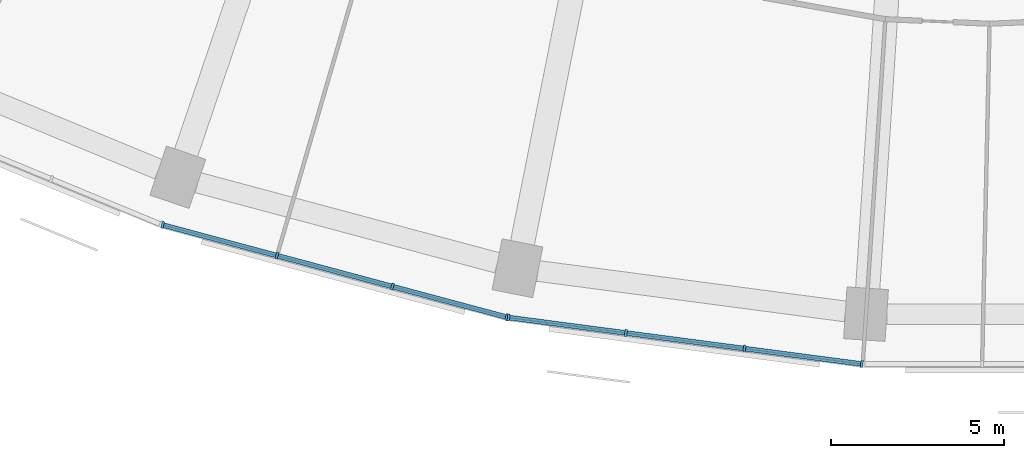
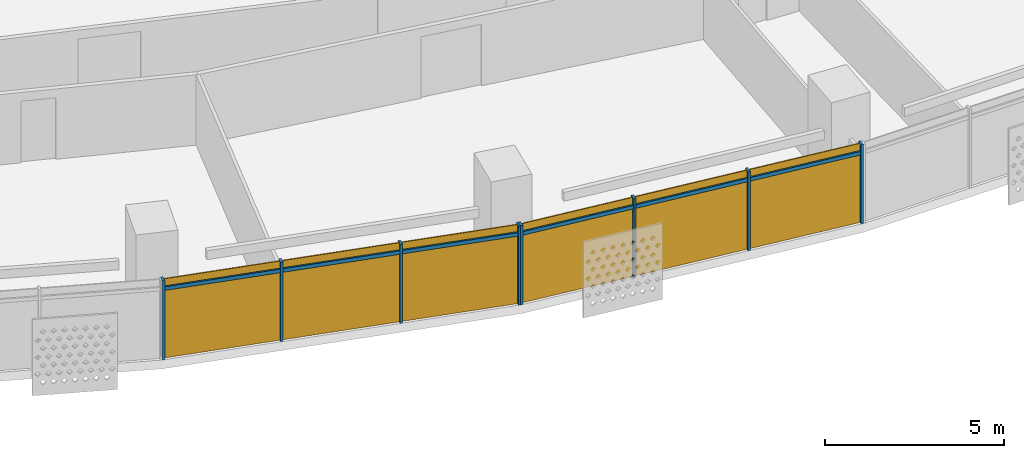
# One storey, part 19 of 29: 14 members, 2 curtain walls.
"""IFC4 building model written with IfcOpenShell, lengths in metres."""

from ifc_helpers import new_model, si_unit, direction, frame, origin, origin_2d, place, context, subcontext, project, spatial, rectangle, extrude, material, material_profile, profile_set, type_object, element, aggregate, save


model = new_model("IFC4")

# Units and contexts
model_context = context("Model", 3, precision=1e-05, world=origin(), true_north=direction((0.0, 1.0)))
body_context = subcontext(model_context, "Body", "Model", "MODEL_VIEW")
ifc_project = project(units=[si_unit("LENGTHUNIT", "METRE"), si_unit("AREAUNIT", "SQUARE_METRE"), si_unit("VOLUMEUNIT", "CUBIC_METRE"), si_unit("PLANEANGLEUNIT", "RADIAN"), si_unit("MASSUNIT", "GRAM", prefix="KILO")], contexts=[model_context])

# Member
ifc_material = material(Name="Aluminium 6063-T6 anodised", Category="aluminium")
ifc_material_profile_1 = material_profile(ifc_material, rectangle(XDim=0.199951171875, YDim=0.070068359375, at=origin_2d()))
ifc_profile_set_1 = profile_set([ifc_material_profile_1], Name="Aluminium 6063-T6 anodised")
member_type_1 = type_object("IfcMemberType", Name="Mullion 70 x 200 aluminium", PredefinedType="MULLION", material=ifc_profile_set_1)
site_placement = place(None, origin())
building_placement = place(site_placement, origin())
storey_placement = place(building_placement, frame((0.0, 0.0, 136.699951171875)))
member_1_placement = place(storey_placement, frame((-25.430419921875, -75.00390625, 0.0), z_axis=(0.0, 0.0, 1.0), x_axis=(0.258819045103, 0.965925826289, 0.0)))
member_1 = element("IfcMember", 1, at=member_1_placement, type_object=member_type_1, Name="e-cw1-L31-out07/M00", PredefinedType="MULLION", context=body_context, shape_type="SweptSolid", body=[
    extrude(rectangle(XDim=0.199951171875, YDim=0.070068359375, at=origin_2d()), origin(), (0.0, 0.0, 1.0), 2.699951171875),
])

member_2_placement = place(storey_placement, frame((-22.12451171875, -75.889892578125, 0.0), z_axis=(0.0, 0.0, 1.0), x_axis=(0.258819045103, 0.965925826289, 0.0)))
member_2 = element("IfcMember", 2, at=member_2_placement, type_object=member_type_1, Name="e-cw1-L31-out07/M01", PredefinedType="MULLION", context=body_context, shape_type="SweptSolid", body=[
    extrude(rectangle(XDim=0.199951171875, YDim=0.070068359375, at=origin_2d()), origin(), (0.0, 0.0, 1.0), 2.699951171875),
])

member_3_placement = place(storey_placement, frame((-18.78466796875, -76.78466796875, 0.0), z_axis=(0.0, 0.0, 1.0), x_axis=(0.258819045103, 0.965925826289, 0.0)))
member_3 = element("IfcMember", 3, at=member_3_placement, type_object=member_type_1, Name="e-cw1-L31-out07/M02", PredefinedType="MULLION", context=body_context, shape_type="SweptSolid", body=[
    extrude(rectangle(XDim=0.199951171875, YDim=0.070068359375, at=origin_2d()), origin(), (0.0, 0.0, 1.0), 2.699951171875),
])

member_4_placement = place(storey_placement, frame((-15.478515625, -77.670654296875, 0.0), z_axis=(0.0, 0.0, 1.0), x_axis=(0.258819045103, 0.965925826289, 0.0)))
member_4 = element("IfcMember", 4, at=member_4_placement, type_object=member_type_1, Name="e-cw1-L31-out07/M03", PredefinedType="MULLION", context=body_context, shape_type="SweptSolid", body=[
    extrude(rectangle(XDim=0.199951171875, YDim=0.070068359375, at=origin_2d()), origin(), (0.0, 0.0, 1.0), 2.699951171875),
])

member_5_placement = place(storey_placement, frame((-15.4228515625, -77.681640625, 0.0), z_axis=(0.0, 0.0, 1.0), x_axis=(0.13052619222, 0.991444861374, 0.0)))
member_5 = element("IfcMember", 5, at=member_5_placement, type_object=member_type_1, Name="e-cw1-L31-out08/M00", PredefinedType="MULLION", context=body_context, shape_type="SweptSolid", body=[
    extrude(rectangle(XDim=0.199951171875, YDim=0.070068359375, at=origin_2d()), origin(), (0.0, 0.0, 1.0), 2.699951171875),
])

member_6_placement = place(storey_placement, frame((-12.029541015625, -78.12841796875, 0.0), z_axis=(0.0, 0.0, 1.0), x_axis=(0.13052619222, 0.991444861374, 0.0)))
member_6 = element("IfcMember", 6, at=member_6_placement, type_object=member_type_1, Name="e-cw1-L31-out08/M01", PredefinedType="MULLION", context=body_context, shape_type="SweptSolid", body=[
    extrude(rectangle(XDim=0.199951171875, YDim=0.070068359375, at=origin_2d()), origin(), (0.0, 0.0, 1.0), 2.699951171875),
])

member_7_placement = place(storey_placement, frame((-8.6015625, -78.579833984375, 0.0), z_axis=(0.0, 0.0, 1.0), x_axis=(0.13052619222, 0.991444861374, 0.0)))
member_7 = element("IfcMember", 7, at=member_7_placement, type_object=member_type_1, Name="e-cw1-L31-out08/M02", PredefinedType="MULLION", context=body_context, shape_type="SweptSolid", body=[
    extrude(rectangle(XDim=0.199951171875, YDim=0.070068359375, at=origin_2d()), origin(), (0.0, 0.0, 1.0), 2.699951171875),
])

member_8_placement = place(storey_placement, frame((-5.2080078125, -79.026611328125, 0.0), z_axis=(0.0, 0.0, 1.0), x_axis=(0.13052619222, 0.991444861374, 0.0)))
member_8 = element("IfcMember", 8, at=member_8_placement, type_object=member_type_1, Name="e-cw1-L31-out08/M03", PredefinedType="MULLION", context=body_context, shape_type="SweptSolid", body=[
    extrude(rectangle(XDim=0.199951171875, YDim=0.070068359375, at=origin_2d()), origin(), (0.0, 0.0, 1.0), 2.699951171875),
])

ifc_material_profile_2 = material_profile(ifc_material, rectangle(XDim=0.139892578125, YDim=0.1201171875, at=origin_2d()))
ifc_profile_set_2 = profile_set([ifc_material_profile_2], Name="Aluminium 6063-T6 anodised")
member_type_2 = type_object("IfcMemberType", Name="Transom 120 x 140 aluminium", PredefinedType="USERDEFINED", material=ifc_profile_set_2)
member_9_placement = place(storey_placement, frame((-25.396728515625, -75.01318359375, 2.400146484375), z_axis=(0.965932125453, -0.258795535157, 0.0), x_axis=(0.258795535157, 0.965932125453, 0.0)))
member_9 = element("IfcMember", 9, at=member_9_placement, type_object=member_type_2, Name="e-cw1-L31-out07/T00", ObjectType="TRANSOM", PredefinedType="USERDEFINED", context=body_context, shape_type="SweptSolid", body=[
    extrude(rectangle(XDim=0.139892578125, YDim=0.1201171875, at=origin_2d()), origin(), (0.0, 0.0, 1.0), 3.352783203125),
])

member_10_placement = place(storey_placement, frame((-22.090576171875, -75.89892578125, 2.400146484375), z_axis=(0.965931646033, -0.258797324547, 0.0), x_axis=(0.258797324547, 0.965931646033, 0.0)))
member_10 = element("IfcMember", 10, at=member_10_placement, type_object=member_type_2, Name="e-cw1-L31-out07/T01", ObjectType="TRANSOM", PredefinedType="USERDEFINED", context=body_context, shape_type="SweptSolid", body=[
    extrude(rectangle(XDim=0.139892578125, YDim=0.1201171875, at=origin_2d()), origin(), (0.0, 0.0, 1.0), 3.3876953125),
])

member_11_placement = place(storey_placement, frame((-18.750732421875, -76.7939453125, 2.400146484375), z_axis=(0.965927247937, -0.258813739382, 0.0), x_axis=(0.258813739382, 0.965927247937, 0.0)))
member_11 = element("IfcMember", 11, at=member_11_placement, type_object=member_type_2, Name="e-cw1-L31-out07/T02", ObjectType="TRANSOM", PredefinedType="USERDEFINED", context=body_context, shape_type="SweptSolid", body=[
    extrude(rectangle(XDim=0.139892578125, YDim=0.1201171875, at=origin_2d()), origin(), (0.0, 0.0, 1.0), 3.3525390625),
])

member_12_placement = place(storey_placement, frame((-15.38818359375, -77.686279296875, 2.400146484375), z_axis=(0.991449089759, -0.130494070426, 0.0), x_axis=(0.130494070426, 0.991449089759, 0.0)))
member_12 = element("IfcMember", 12, at=member_12_placement, type_object=member_type_2, Name="e-cw1-L31-out08/T00", ObjectType="TRANSOM", PredefinedType="USERDEFINED", context=body_context, shape_type="SweptSolid", body=[
    extrude(rectangle(XDim=0.139892578125, YDim=0.1201171875, at=origin_2d()), origin(), (0.0, 0.0, 1.0), 3.3525390625),
])

member_13_placement = place(storey_placement, frame((-11.994873046875, -78.133056640625, 2.400146484375), z_axis=(0.991446198807, -0.130516033004, 0.0), x_axis=(0.130516033004, 0.991446198807, 0.0)))
member_13 = element("IfcMember", 13, at=member_13_placement, type_object=member_type_2, Name="e-cw1-L31-out08/T01", ObjectType="TRANSOM", PredefinedType="USERDEFINED", context=body_context, shape_type="SweptSolid", body=[
    extrude(rectangle(XDim=0.139892578125, YDim=0.1201171875, at=origin_2d()), origin(), (0.0, 0.0, 1.0), 3.3876953125),
])

member_14_placement = place(storey_placement, frame((-8.56689453125, -78.584228515625, 2.400146484375), z_axis=(0.991439665896, -0.130565649721, 0.0), x_axis=(0.130565649721, 0.991439665896, 0.0)))
member_14 = element("IfcMember", 14, at=member_14_placement, type_object=member_type_2, Name="e-cw1-L31-out08/T02", ObjectType="TRANSOM", PredefinedType="USERDEFINED", context=body_context, shape_type="SweptSolid", body=[
    extrude(rectangle(XDim=0.139892578125, YDim=0.1201171875, at=origin_2d()), origin(), (0.0, 0.0, 1.0), 3.352783203125),
])

# Site, building, storey
site = spatial("IfcSite", under=ifc_project, at=site_placement, CompositionType="ELEMENT")
building = spatial("IfcBuilding", under=site, at=building_placement, Name="Qamariyya Broadcast Tower", CompositionType="ELEMENT")
storey = spatial("IfcBuildingStorey", under=building, at=storey_placement, Name="L31", CompositionType="ELEMENT", Elevation=136.699951171875)

# Curtain wall
curtain_wall_type = type_object("IfcCurtainWallType", Name="Unitised curtain wall, anodised aluminium", PredefinedType="NOTDEFINED", material=ifc_material)
curtain_wall_1_placement = place(storey_placement, origin())
curtain_wall_1 = element("IfcCurtainWall", 15, at=curtain_wall_1_placement, inside=storey, type_object=curtain_wall_type, Name="e-cw1-L31-out07", PredefinedType="NOTDEFINED", context=body_context, shape_type="SweptSolid", body=[
    extrude(rectangle(XDim=3.352783203125, YDim=0.031982421875, at=origin_2d()), frame((-23.777587890625, -75.44677734375, 0.0), x_axis=(0.965923677743, -0.258827063454, 0.0)), (0.0, 0.0, 1.0), 2.340087890625),
    extrude(rectangle(XDim=3.352783203125, YDim=0.031982421875, at=origin_2d()), frame((-23.777587890625, -75.44677734375, 2.4599609375), x_axis=(0.965923677743, -0.258827063454, 0.0)), (0.0, 0.0, 1.0), 0.239990234375),
    extrude(rectangle(XDim=3.3876953125, YDim=0.031982421875, at=origin_2d()), frame((-20.45458984375, -76.33740234375, 0.0), x_axis=(0.965923677743, -0.258827063454, 0.0)), (0.0, 0.0, 1.0), 2.340087890625),
    extrude(rectangle(XDim=3.3876953125, YDim=0.031982421875, at=origin_2d()), frame((-20.45458984375, -76.33740234375, 2.4599609375), x_axis=(0.965923677743, -0.258827063454, 0.0)), (0.0, 0.0, 1.0), 0.239990234375),
    extrude(rectangle(XDim=3.352783203125, YDim=0.031982421875, at=origin_2d()), frame((-17.131591796875, -77.227783203125, 0.0), x_axis=(0.965923677743, -0.258827063454, 0.0)), (0.0, 0.0, 1.0), 2.340087890625),
    extrude(rectangle(XDim=3.352783203125, YDim=0.031982421875, at=origin_2d()), frame((-17.131591796875, -77.227783203125, 2.4599609375), x_axis=(0.965923677743, -0.258827063454, 0.0)), (0.0, 0.0, 1.0), 0.239990234375),
])

aggregate(curtain_wall_1, [member_1, member_2, member_3, member_4, member_9, member_10, member_11])

curtain_wall_2_placement = place(storey_placement, origin())
curtain_wall_2 = element("IfcCurtainWall", 16, at=curtain_wall_2_placement, inside=storey, type_object=curtain_wall_type, Name="e-cw1-L31-out08", PredefinedType="NOTDEFINED", context=body_context, shape_type="SweptSolid", body=[
    extrude(rectangle(XDim=3.3525390625, YDim=0.031982421875, at=origin_2d()), frame((-13.72607421875, -77.9052734375, 0.0), x_axis=(0.991447084105, -0.13050930779, 0.0)), (0.0, 0.0, 1.0), 2.340087890625),
    extrude(rectangle(XDim=3.3525390625, YDim=0.031982421875, at=origin_2d()), frame((-13.72607421875, -77.9052734375, 2.4599609375), x_axis=(0.991447084105, -0.13050930779, 0.0)), (0.0, 0.0, 1.0), 0.239990234375),
    extrude(rectangle(XDim=3.3876953125, YDim=0.031982421875, at=origin_2d()), frame((-10.3154296875, -78.35400390625, 0.0), x_axis=(0.991447084105, -0.13050930779, 0.0)), (0.0, 0.0, 1.0), 2.340087890625),
    extrude(rectangle(XDim=3.3876953125, YDim=0.031982421875, at=origin_2d()), frame((-10.3154296875, -78.35400390625, 2.4599609375), x_axis=(0.991447084105, -0.13050930779, 0.0)), (0.0, 0.0, 1.0), 0.239990234375),
    extrude(rectangle(XDim=3.3525390625, YDim=0.031982421875, at=origin_2d()), frame((-6.90478515625, -78.802978515625, 0.0), x_axis=(0.991447084105, -0.13050930779, 0.0)), (0.0, 0.0, 1.0), 2.340087890625),
    extrude(rectangle(XDim=3.3525390625, YDim=0.031982421875, at=origin_2d()), frame((-6.90478515625, -78.802978515625, 2.4599609375), x_axis=(0.991447084105, -0.13050930779, 0.0)), (0.0, 0.0, 1.0), 0.239990234375),
])

aggregate(curtain_wall_2, [member_5, member_6, member_7, member_8, member_12, member_13, member_14])

save(model, "model.ifc")
